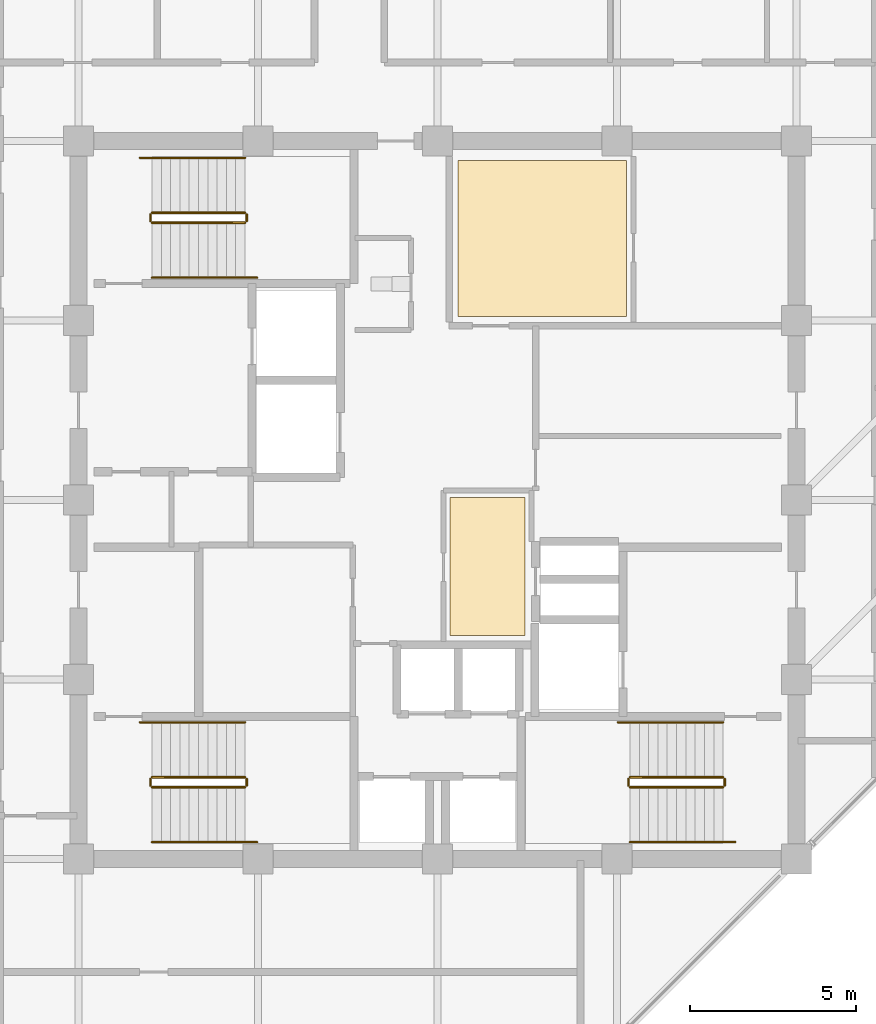
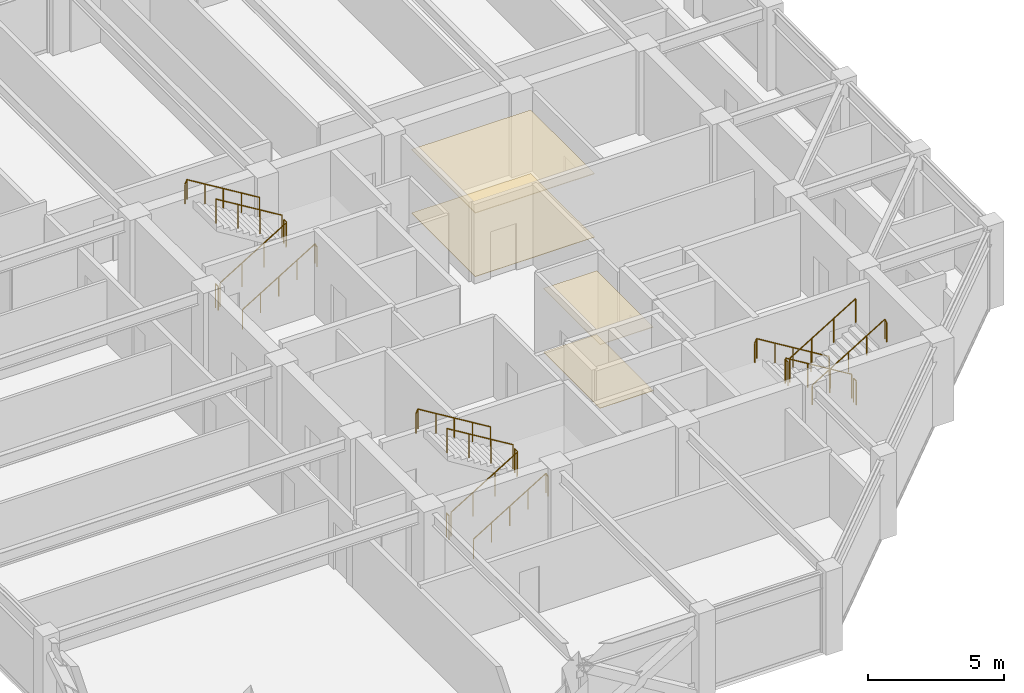
# One storey, part 29 of 30: 18 railings, 4 coverings.
"""IFC4 building model written with IfcOpenShell, lengths in metres."""

from ifc_helpers import new_model, si_unit, direction, frame, origin, origin_2d, place, context, subcontext, project, spatial, polyline, circle, outline, extrude, material, layer, layer_set, type_object, element, save


model = new_model("IFC4")

# Units and contexts
model_context = context("Model", 3, precision=1e-05, world=origin(), true_north=direction((0.0, 1.0)))
body_context = subcontext(model_context, "Body", "Model", "MODEL_VIEW")
ifc_project = project(units=[si_unit("LENGTHUNIT", "METRE"), si_unit("AREAUNIT", "SQUARE_METRE"), si_unit("VOLUMEUNIT", "CUBIC_METRE"), si_unit("PLANEANGLEUNIT", "RADIAN"), si_unit("MASSUNIT", "GRAM", prefix="KILO")], contexts=[model_context])

# Site, building, storey
site_placement = place(None, origin())
site = spatial("IfcSite", under=ifc_project, at=site_placement, CompositionType="ELEMENT")
building_placement = place(site_placement, origin())
building = spatial("IfcBuilding", under=site, at=building_placement, Name="Surkhivell Harbour Commons", CompositionType="ELEMENT")
storey_placement = place(building_placement, frame((0.0, 0.0, 281.25)))
storey = spatial("IfcBuildingStorey", under=building, at=storey_placement, Name="L73", CompositionType="ELEMENT", Elevation=281.25)

# Coverings
ifc_material_1 = material(Name="Perforated acoustic mineral-fibre ceiling tile", Category="other")
ifc_layer_1 = layer(ifc_material_1, 0.02490234375)
ifc_layer_set_1 = layer_set([ifc_layer_1], Name="Perforated acoustic mineral-fibre ceiling tile")
covering_type_1 = type_object("IfcCoveringType", Name="COV-CEIL-AC", PredefinedType="CEILING", material=ifc_layer_set_1)
covering_1_placement = place(storey_placement, frame((0.0, 0.0, 2.85205078125)))
element("IfcCovering", 1, at=covering_1_placement, inside=storey, type_object=covering_type_1, Name="L73 Suspended Acoustic Ceiling 1", PredefinedType="CEILING", context=body_context, shape_type="SweptSolid", body=[
    extrude(outline(polyline([(0.3701171875, -4.080078125), (2.6298828125, -4.080078125), (2.6298828125, 0.080078125), (0.3701171875, 0.080078125), (0.3701171875, -4.080078125)])), origin(), (0.0, 0.0, 1.0), 0.02490234375),
])
ifc_material_2 = material(Name="Moisture-resistant gypsum acoustic ceiling board", Category="other")
ifc_layer_2 = layer(ifc_material_2, 0.030029296875)
ifc_layer_set_2 = layer_set([ifc_layer_2], Name="Moisture-resistant gypsum acoustic ceiling board")
covering_type_2 = type_object("IfcCoveringType", Name="COV-CEIL-GYP", PredefinedType="CEILING", material=ifc_layer_set_2)
covering_2_placement = place(storey_placement, frame((0.0, 0.0, 2.846923828125)))
element("IfcCovering", 2, at=covering_2_placement, inside=storey, type_object=covering_type_2, Name="L73 Suspended Acoustic Ceiling 2", PredefinedType="CEILING", context=body_context, shape_type="SweptSolid", body=[
    extrude(outline(polyline([(0.6201171875, 5.52001953125), (5.679931640625, 5.52001953125), (5.679931640625, 10.219970703125), (0.6201171875, 10.219970703125), (0.6201171875, 5.52001953125)])), origin(), (0.0, 0.0, 1.0), 0.030029296875),
])
ifc_material_3 = material(Name="Engineered acoustic oak timber flooring", Category="wood")
ifc_layer_3 = layer(ifc_material_3, 0.02001953125)
ifc_layer_set_3 = layer_set([ifc_layer_3], Name="Engineered acoustic oak timber flooring")
covering_type_3 = type_object("IfcCoveringType", Name="COV-FLR-TIM", PredefinedType="FLOORING", material=ifc_layer_set_3)
covering_3_placement = place(storey_placement, origin())
element("IfcCovering", 3, at=covering_3_placement, inside=storey, type_object=covering_type_3, Name="L73 Interior Floor Finish 1", PredefinedType="FLOORING", context=body_context, shape_type="SweptSolid", body=[
    extrude(outline(polyline([(0.3701171875, -4.080078125), (2.6298828125, -4.080078125), (2.6298828125, 0.080078125), (0.3701171875, 0.080078125), (0.3701171875, -4.080078125)])), origin(), (0.0, 0.0, 1.0), 0.02001953125),
])
covering_4_placement = place(storey_placement, origin())
element("IfcCovering", 4, at=covering_4_placement, inside=storey, type_object=covering_type_3, Name="L73 Interior Floor Finish 2", PredefinedType="FLOORING", context=body_context, shape_type="SweptSolid", body=[
    extrude(outline(polyline([(0.6201171875, 5.52001953125), (5.679931640625, 5.52001953125), (5.679931640625, 10.219970703125), (0.6201171875, 10.219970703125), (0.6201171875, 5.52001953125)])), origin(), (0.0, 0.0, 1.0), 0.02001953125),
])

# Railings
ifc_material_4 = material(Name="Galvanised and painted steel S355 guard rail", Category="steel")
railing_type_1 = type_object("IfcRailingType", Name="RAL-ST-GRD1100", PredefinedType="GUARDRAIL", material=ifc_material_4)
railing_1_placement = place(storey_placement, frame((-8.590087890625, 8.340087890625, 0.17041015625)))
element("IfcRailing", 5, at=railing_1_placement, inside=storey, type_object=railing_type_1, Name="L73 ST1 stair guard 1", PredefinedType="GUARDRAIL", context=body_context, shape_type="SweptSolid", body=[
    extrude(circle(Radius=0.02392578125, at=origin_2d()), frame((0.0, 0.0, 1.076171875), z_axis=(0.854169791009, 0.0, 0.51999420009), x_axis=(0.0, 1.0, 0.0)), (0.0, 0.0, 1.0), 3.278076171875),
    extrude(circle(Radius=0.02099609375, at=origin_2d()), origin(), (0.0, 0.0, 1.0), 1.052001953125),
    extrude(circle(Radius=0.02099609375, at=origin_2d()), frame((0.933349609375, 0.0, 0.568115234375)), (0.0, 0.0, 1.0), 1.052001953125),
    extrude(circle(Radius=0.02099609375, at=origin_2d()), frame((1.86669921875, 0.0, 1.136474609375)), (0.0, 0.0, 1.0), 1.052001953125),
    extrude(circle(Radius=0.02099609375, at=origin_2d()), frame((2.800048828125, 0.0, 1.70458984375)), (0.0, 0.0, 1.0), 1.052001953125),
])
railing_2_placement = place(storey_placement, frame((-5.739990234375, 8.389892578125, 1.875)))
element("IfcRailing", 6, at=railing_2_placement, inside=storey, type_object=railing_type_1, Name="L73 ST1 stair guard 2", PredefinedType="GUARDRAIL", context=body_context, shape_type="SweptSolid", body=[
    extrude(circle(Radius=0.02392578125, at=origin_2d()), frame((0.0, 0.0, 1.076171875), z_axis=(0.0, 1.0, 0.0), x_axis=(-1.0, 0.0, 0.0)), (0.0, 0.0, 1.0), 0.2001953125),
    extrude(circle(Radius=0.02099609375, at=origin_2d()), origin(), (0.0, 0.0, 1.0), 1.052001953125),
    extrude(circle(Radius=0.02099609375, at=origin_2d()), frame((0.0, 0.2001953125, 0.0)), (0.0, 0.0, 1.0), 1.052001953125),
])
railing_3_placement = place(storey_placement, frame((-5.7900390625, 8.639892578125, 2.04541015625)))
element("IfcRailing", 7, at=railing_3_placement, inside=storey, type_object=railing_type_1, Name="L73 ST1 stair guard 3", PredefinedType="GUARDRAIL", context=body_context, shape_type="SweptSolid", body=[
    extrude(circle(Radius=0.02392578125, at=origin_2d()), frame((0.0, 0.0, 1.076171875), z_axis=(-0.854169791009, 0.0, 0.51999420009), x_axis=(0.0, -1.0, 0.0)), (0.0, 0.0, 1.0), 3.278076171875),
    extrude(circle(Radius=0.02099609375, at=origin_2d()), origin(), (0.0, 0.0, 1.0), 1.052001953125),
    extrude(circle(Radius=0.02099609375, at=origin_2d()), frame((-0.933349609375, 0.0, 0.568115234375)), (0.0, 0.0, 1.0), 1.052001953125),
    extrude(circle(Radius=0.02099609375, at=origin_2d()), frame((-1.86669921875, 0.0, 1.136474609375)), (0.0, 0.0, 1.0), 1.052001953125),
    extrude(circle(Radius=0.02099609375, at=origin_2d()), frame((-2.800048828125, 0.0, 1.70458984375)), (0.0, 0.0, 1.0), 1.052001953125),
])
railing_4_placement = place(storey_placement, frame((-8.639892578125, 8.389892578125, 0.0)))
element("IfcRailing", 8, at=railing_4_placement, inside=storey, type_object=railing_type_1, Name="L73 ST1 stair guard 4", PredefinedType="GUARDRAIL", context=body_context, shape_type="SweptSolid", body=[
    extrude(circle(Radius=0.02392578125, at=origin_2d()), frame((0.0, 0.0, 1.076171875), z_axis=(0.0, 1.0, 0.0), x_axis=(-1.0, 0.0, 0.0)), (0.0, 0.0, 1.0), 0.2001953125),
    extrude(circle(Radius=0.02099609375, at=origin_2d()), origin(), (0.0, 0.0, 1.0), 1.052001953125),
    extrude(circle(Radius=0.02099609375, at=origin_2d()), frame((0.0, 0.2001953125, 0.0)), (0.0, 0.0, 1.0), 1.052001953125),
])
railing_5_placement = place(storey_placement, frame((8.590087890625, -8.340087890625, 0.17041015625)))
element("IfcRailing", 9, at=railing_5_placement, inside=storey, type_object=railing_type_1, Name="L73 ST2 stair guard 1", PredefinedType="GUARDRAIL", context=body_context, shape_type="SweptSolid", body=[
    extrude(circle(Radius=0.02392578125, at=origin_2d()), frame((0.0, 0.0, 1.076171875), z_axis=(-0.854169791009, 0.0, 0.51999420009), x_axis=(0.0, -1.0, 0.0)), (0.0, 0.0, 1.0), 3.278076171875),
    extrude(circle(Radius=0.02099609375, at=origin_2d()), origin(), (0.0, 0.0, 1.0), 1.052001953125),
    extrude(circle(Radius=0.02099609375, at=origin_2d()), frame((-0.933349609375, 0.0, 0.568115234375)), (0.0, 0.0, 1.0), 1.052001953125),
    extrude(circle(Radius=0.02099609375, at=origin_2d()), frame((-1.86669921875, 0.0, 1.136474609375)), (0.0, 0.0, 1.0), 1.052001953125),
    extrude(circle(Radius=0.02099609375, at=origin_2d()), frame((-2.800048828125, 0.0, 1.70458984375)), (0.0, 0.0, 1.0), 1.052001953125),
])
railing_6_placement = place(storey_placement, frame((5.739990234375, -8.389892578125, 1.875)))
element("IfcRailing", 10, at=railing_6_placement, inside=storey, type_object=railing_type_1, Name="L73 ST2 stair guard 2", PredefinedType="GUARDRAIL", context=body_context, shape_type="SweptSolid", body=[
    extrude(circle(Radius=0.02392578125, at=origin_2d()), frame((0.0, 0.0, 1.076171875), z_axis=(0.0, -1.0, 0.0), x_axis=(1.0, 0.0, 0.0)), (0.0, 0.0, 1.0), 0.2001953125),
    extrude(circle(Radius=0.02099609375, at=origin_2d()), origin(), (0.0, 0.0, 1.0), 1.052001953125),
    extrude(circle(Radius=0.02099609375, at=origin_2d()), frame((0.0, -0.2001953125, 0.0)), (0.0, 0.0, 1.0), 1.052001953125),
])
railing_7_placement = place(storey_placement, frame((5.7900390625, -8.639892578125, 2.04541015625)))
element("IfcRailing", 11, at=railing_7_placement, inside=storey, type_object=railing_type_1, Name="L73 ST2 stair guard 3", PredefinedType="GUARDRAIL", context=body_context, shape_type="SweptSolid", body=[
    extrude(circle(Radius=0.02392578125, at=origin_2d()), frame((0.0, 0.0, 1.076171875), z_axis=(0.854169791009, 0.0, 0.51999420009), x_axis=(0.0, 1.0, 0.0)), (0.0, 0.0, 1.0), 3.278076171875),
    extrude(circle(Radius=0.02099609375, at=origin_2d()), origin(), (0.0, 0.0, 1.0), 1.052001953125),
    extrude(circle(Radius=0.02099609375, at=origin_2d()), frame((0.933349609375, 0.0, 0.568115234375)), (0.0, 0.0, 1.0), 1.052001953125),
    extrude(circle(Radius=0.02099609375, at=origin_2d()), frame((1.86669921875, 0.0, 1.136474609375)), (0.0, 0.0, 1.0), 1.052001953125),
    extrude(circle(Radius=0.02099609375, at=origin_2d()), frame((2.800048828125, 0.0, 1.70458984375)), (0.0, 0.0, 1.0), 1.052001953125),
])
railing_8_placement = place(storey_placement, frame((8.639892578125, -8.389892578125, 0.0)))
element("IfcRailing", 12, at=railing_8_placement, inside=storey, type_object=railing_type_1, Name="L73 ST2 stair guard 4", PredefinedType="GUARDRAIL", context=body_context, shape_type="SweptSolid", body=[
    extrude(circle(Radius=0.02392578125, at=origin_2d()), frame((0.0, 0.0, 1.076171875), z_axis=(0.0, -1.0, 0.0), x_axis=(1.0, 0.0, 0.0)), (0.0, 0.0, 1.0), 0.2001953125),
    extrude(circle(Radius=0.02099609375, at=origin_2d()), origin(), (0.0, 0.0, 1.0), 1.052001953125),
    extrude(circle(Radius=0.02099609375, at=origin_2d()), frame((0.0, -0.2001953125, 0.0)), (0.0, 0.0, 1.0), 1.052001953125),
])
railing_9_placement = place(storey_placement, frame((-8.590087890625, -8.639892578125, 0.17041015625)))
element("IfcRailing", 13, at=railing_9_placement, inside=storey, type_object=railing_type_1, Name="L73 ST3 stair guard 1", PredefinedType="GUARDRAIL", context=body_context, shape_type="SweptSolid", body=[
    extrude(circle(Radius=0.02392578125, at=origin_2d()), frame((0.0, 0.0, 1.076171875), z_axis=(0.854169791009, 0.0, 0.51999420009), x_axis=(0.0, 1.0, 0.0)), (0.0, 0.0, 1.0), 3.278076171875),
    extrude(circle(Radius=0.02099609375, at=origin_2d()), origin(), (0.0, 0.0, 1.0), 1.052001953125),
    extrude(circle(Radius=0.02099609375, at=origin_2d()), frame((0.933349609375, 0.0, 0.568115234375)), (0.0, 0.0, 1.0), 1.052001953125),
    extrude(circle(Radius=0.02099609375, at=origin_2d()), frame((1.86669921875, 0.0, 1.136474609375)), (0.0, 0.0, 1.0), 1.052001953125),
    extrude(circle(Radius=0.02099609375, at=origin_2d()), frame((2.800048828125, 0.0, 1.70458984375)), (0.0, 0.0, 1.0), 1.052001953125),
])
railing_10_placement = place(storey_placement, frame((-5.739990234375, -8.590087890625, 1.875)))
element("IfcRailing", 14, at=railing_10_placement, inside=storey, type_object=railing_type_1, Name="L73 ST3 stair guard 2", PredefinedType="GUARDRAIL", context=body_context, shape_type="SweptSolid", body=[
    extrude(circle(Radius=0.02392578125, at=origin_2d()), frame((0.0, 0.0, 1.076171875), z_axis=(0.0, 1.0, 0.0), x_axis=(-1.0, 0.0, 0.0)), (0.0, 0.0, 1.0), 0.2001953125),
    extrude(circle(Radius=0.02099609375, at=origin_2d()), origin(), (0.0, 0.0, 1.0), 1.052001953125),
    extrude(circle(Radius=0.02099609375, at=origin_2d()), frame((0.0, 0.2001953125, 0.0)), (0.0, 0.0, 1.0), 1.052001953125),
])
railing_11_placement = place(storey_placement, frame((-5.7900390625, -8.340087890625, 2.04541015625)))
element("IfcRailing", 15, at=railing_11_placement, inside=storey, type_object=railing_type_1, Name="L73 ST3 stair guard 3", PredefinedType="GUARDRAIL", context=body_context, shape_type="SweptSolid", body=[
    extrude(circle(Radius=0.02392578125, at=origin_2d()), frame((0.0, 0.0, 1.076171875), z_axis=(-0.854169791009, 0.0, 0.51999420009), x_axis=(0.0, -1.0, 0.0)), (0.0, 0.0, 1.0), 3.278076171875),
    extrude(circle(Radius=0.02099609375, at=origin_2d()), origin(), (0.0, 0.0, 1.0), 1.052001953125),
    extrude(circle(Radius=0.02099609375, at=origin_2d()), frame((-0.933349609375, 0.0, 0.568115234375)), (0.0, 0.0, 1.0), 1.052001953125),
    extrude(circle(Radius=0.02099609375, at=origin_2d()), frame((-1.86669921875, 0.0, 1.136474609375)), (0.0, 0.0, 1.0), 1.052001953125),
    extrude(circle(Radius=0.02099609375, at=origin_2d()), frame((-2.800048828125, 0.0, 1.70458984375)), (0.0, 0.0, 1.0), 1.052001953125),
])
railing_12_placement = place(storey_placement, frame((-8.639892578125, -8.590087890625, 0.0)))
element("IfcRailing", 16, at=railing_12_placement, inside=storey, type_object=railing_type_1, Name="L73 ST3 stair guard 4", PredefinedType="GUARDRAIL", context=body_context, shape_type="SweptSolid", body=[
    extrude(circle(Radius=0.02392578125, at=origin_2d()), frame((0.0, 0.0, 1.076171875), z_axis=(0.0, 1.0, 0.0), x_axis=(-1.0, 0.0, 0.0)), (0.0, 0.0, 1.0), 0.2001953125),
    extrude(circle(Radius=0.02099609375, at=origin_2d()), origin(), (0.0, 0.0, 1.0), 1.052001953125),
    extrude(circle(Radius=0.02099609375, at=origin_2d()), frame((0.0, 0.2001953125, 0.0)), (0.0, 0.0, 1.0), 1.052001953125),
])
ifc_material_5 = material(Name="Brushed stainless steel S355 handrail", Category="steel")
railing_type_2 = type_object("IfcRailingType", Name="RAL-ST-HND900", PredefinedType="HANDRAIL", material=ifc_material_5)
railing_13_placement = place(storey_placement, frame((-8.590087890625, 6.68994140625, 0.17041015625)))
element("IfcRailing", 17, at=railing_13_placement, inside=storey, type_object=railing_type_2, Name="L73 ST1 stair handrail 1", PredefinedType="HANDRAIL", context=body_context, shape_type="SweptSolid", body=[
    extrude(circle(Radius=0.02392578125, at=origin_2d()), frame((0.0, 0.0, 0.8759765625), z_axis=(0.854177636135, 0.0, 0.519981313056), x_axis=(0.0, 1.0, 0.0)), (0.0, 0.0, 1.0), 3.60595703125),
    extrude(circle(Radius=0.02392578125, at=origin_2d()), frame((3.080078125, 0.0, 2.7509765625), z_axis=(0.425297416671, 0.0, -0.905053648892), x_axis=(0.0, 1.0, 0.0)), (0.0, 0.0, 1.0), 0.188232421875),
    extrude(circle(Radius=0.02099609375, at=origin_2d()), origin(), (0.0, 0.0, 1.0), 0.851806640625),
    extrude(circle(Radius=0.02099609375, at=origin_2d()), frame((0.77001953125, 0.0, 0.46875)), (0.0, 0.0, 1.0), 0.851806640625),
    extrude(circle(Radius=0.02099609375, at=origin_2d()), frame((1.5400390625, 0.0, 0.9375)), (0.0, 0.0, 1.0), 0.851806640625),
    extrude(circle(Radius=0.02099609375, at=origin_2d()), frame((2.31005859375, 0.0, 1.40625)), (0.0, 0.0, 1.0), 0.851806640625),
    extrude(circle(Radius=0.02099609375, at=origin_2d()), frame((3.080078125, 0.0, 1.875)), (0.0, 0.0, 1.0), 0.851806640625),
    extrude(circle(Radius=0.02099609375, at=origin_2d()), frame((3.16015625, 0.0, 1.70458984375)), (0.0, 0.0, 1.0), 0.851806640625),
])
railing_14_placement = place(storey_placement, frame((-5.7900390625, 10.2900390625, 2.04541015625)))
element("IfcRailing", 18, at=railing_14_placement, inside=storey, type_object=railing_type_2, Name="L73 ST1 stair handrail 2", PredefinedType="HANDRAIL", context=body_context, shape_type="SweptSolid", body=[
    extrude(circle(Radius=0.02392578125, at=origin_2d()), frame((0.0, 0.0, 0.8759765625), z_axis=(-0.854177636135, 0.0, 0.519981313056), x_axis=(0.0, -1.0, 0.0)), (0.0, 0.0, 1.0), 3.60595703125),
    extrude(circle(Radius=0.02392578125, at=origin_2d()), frame((-3.080078125, 0.0, 2.7509765625), z_axis=(-0.424234432967, 0.0, -0.905552398199), x_axis=(0.0, -1.0, 0.0)), (0.0, 0.0, 1.0), 0.188232421875),
    extrude(circle(Radius=0.02099609375, at=origin_2d()), origin(), (0.0, 0.0, 1.0), 0.851806640625),
    extrude(circle(Radius=0.02099609375, at=origin_2d()), frame((-0.77001953125, 0.0, 0.46875)), (0.0, 0.0, 1.0), 0.851806640625),
    extrude(circle(Radius=0.02099609375, at=origin_2d()), frame((-1.5400390625, 0.0, 0.9375)), (0.0, 0.0, 1.0), 0.851806640625),
    extrude(circle(Radius=0.02099609375, at=origin_2d()), frame((-2.31005859375, 0.0, 1.40625)), (0.0, 0.0, 1.0), 0.851806640625),
    extrude(circle(Radius=0.02099609375, at=origin_2d()), frame((-3.080078125, 0.0, 1.875)), (0.0, 0.0, 1.0), 0.851806640625),
    extrude(circle(Radius=0.02099609375, at=origin_2d()), frame((-3.159912109375, 0.0, 1.70458984375)), (0.0, 0.0, 1.0), 0.851806640625),
])
railing_15_placement = place(storey_placement, frame((8.590087890625, -6.68994140625, 0.17041015625)))
element("IfcRailing", 19, at=railing_15_placement, inside=storey, type_object=railing_type_2, Name="L73 ST2 stair handrail 1", PredefinedType="HANDRAIL", context=body_context, shape_type="SweptSolid", body=[
    extrude(circle(Radius=0.02392578125, at=origin_2d()), frame((0.0, 0.0, 0.8759765625), z_axis=(-0.854177636135, 0.0, 0.519981313056), x_axis=(0.0, -1.0, 0.0)), (0.0, 0.0, 1.0), 3.60595703125),
    extrude(circle(Radius=0.02392578125, at=origin_2d()), frame((-3.080078125, 0.0, 2.7509765625), z_axis=(-0.425297416671, 0.0, -0.905053648892), x_axis=(0.0, -1.0, 0.0)), (0.0, 0.0, 1.0), 0.188232421875),
    extrude(circle(Radius=0.02099609375, at=origin_2d()), origin(), (0.0, 0.0, 1.0), 0.851806640625),
    extrude(circle(Radius=0.02099609375, at=origin_2d()), frame((-0.77001953125, 0.0, 0.46875)), (0.0, 0.0, 1.0), 0.851806640625),
    extrude(circle(Radius=0.02099609375, at=origin_2d()), frame((-1.5400390625, 0.0, 0.9375)), (0.0, 0.0, 1.0), 0.851806640625),
    extrude(circle(Radius=0.02099609375, at=origin_2d()), frame((-2.31005859375, 0.0, 1.40625)), (0.0, 0.0, 1.0), 0.851806640625),
    extrude(circle(Radius=0.02099609375, at=origin_2d()), frame((-3.080078125, 0.0, 1.875)), (0.0, 0.0, 1.0), 0.851806640625),
    extrude(circle(Radius=0.02099609375, at=origin_2d()), frame((-3.16015625, 0.0, 1.70458984375)), (0.0, 0.0, 1.0), 0.851806640625),
])
railing_16_placement = place(storey_placement, frame((5.7900390625, -10.2900390625, 2.04541015625)))
element("IfcRailing", 20, at=railing_16_placement, inside=storey, type_object=railing_type_2, Name="L73 ST2 stair handrail 2", PredefinedType="HANDRAIL", context=body_context, shape_type="SweptSolid", body=[
    extrude(circle(Radius=0.02392578125, at=origin_2d()), frame((0.0, 0.0, 0.8759765625), z_axis=(0.854177636135, 0.0, 0.519981313056), x_axis=(0.0, 1.0, 0.0)), (0.0, 0.0, 1.0), 3.60595703125),
    extrude(circle(Radius=0.02392578125, at=origin_2d()), frame((3.080078125, 0.0, 2.7509765625), z_axis=(0.424234432967, 0.0, -0.905552398199), x_axis=(0.0, 1.0, 0.0)), (0.0, 0.0, 1.0), 0.188232421875),
    extrude(circle(Radius=0.02099609375, at=origin_2d()), origin(), (0.0, 0.0, 1.0), 0.851806640625),
    extrude(circle(Radius=0.02099609375, at=origin_2d()), frame((0.77001953125, 0.0, 0.46875)), (0.0, 0.0, 1.0), 0.851806640625),
    extrude(circle(Radius=0.02099609375, at=origin_2d()), frame((1.5400390625, 0.0, 0.9375)), (0.0, 0.0, 1.0), 0.851806640625),
    extrude(circle(Radius=0.02099609375, at=origin_2d()), frame((2.31005859375, 0.0, 1.40625)), (0.0, 0.0, 1.0), 0.851806640625),
    extrude(circle(Radius=0.02099609375, at=origin_2d()), frame((3.080078125, 0.0, 1.875)), (0.0, 0.0, 1.0), 0.851806640625),
    extrude(circle(Radius=0.02099609375, at=origin_2d()), frame((3.159912109375, 0.0, 1.70458984375)), (0.0, 0.0, 1.0), 0.851806640625),
])
railing_17_placement = place(storey_placement, frame((-8.590087890625, -10.2900390625, 0.17041015625)))
element("IfcRailing", 21, at=railing_17_placement, inside=storey, type_object=railing_type_2, Name="L73 ST3 stair handrail 1", PredefinedType="HANDRAIL", context=body_context, shape_type="SweptSolid", body=[
    extrude(circle(Radius=0.02392578125, at=origin_2d()), frame((0.0, 0.0, 0.8759765625), z_axis=(0.854177636135, 0.0, 0.519981313056), x_axis=(0.0, 1.0, 0.0)), (0.0, 0.0, 1.0), 3.60595703125),
    extrude(circle(Radius=0.02392578125, at=origin_2d()), frame((3.080078125, 0.0, 2.7509765625), z_axis=(0.425297416671, 0.0, -0.905053648892), x_axis=(0.0, 1.0, 0.0)), (0.0, 0.0, 1.0), 0.188232421875),
    extrude(circle(Radius=0.02099609375, at=origin_2d()), origin(), (0.0, 0.0, 1.0), 0.851806640625),
    extrude(circle(Radius=0.02099609375, at=origin_2d()), frame((0.77001953125, 0.0, 0.46875)), (0.0, 0.0, 1.0), 0.851806640625),
    extrude(circle(Radius=0.02099609375, at=origin_2d()), frame((1.5400390625, 0.0, 0.9375)), (0.0, 0.0, 1.0), 0.851806640625),
    extrude(circle(Radius=0.02099609375, at=origin_2d()), frame((2.31005859375, 0.0, 1.40625)), (0.0, 0.0, 1.0), 0.851806640625),
    extrude(circle(Radius=0.02099609375, at=origin_2d()), frame((3.080078125, 0.0, 1.875)), (0.0, 0.0, 1.0), 0.851806640625),
    extrude(circle(Radius=0.02099609375, at=origin_2d()), frame((3.16015625, 0.0, 1.70458984375)), (0.0, 0.0, 1.0), 0.851806640625),
])
railing_18_placement = place(storey_placement, frame((-5.7900390625, -6.68994140625, 2.04541015625)))
element("IfcRailing", 22, at=railing_18_placement, inside=storey, type_object=railing_type_2, Name="L73 ST3 stair handrail 2", PredefinedType="HANDRAIL", context=body_context, shape_type="SweptSolid", body=[
    extrude(circle(Radius=0.02392578125, at=origin_2d()), frame((0.0, 0.0, 0.8759765625), z_axis=(-0.854177636135, 0.0, 0.519981313056), x_axis=(0.0, -1.0, 0.0)), (0.0, 0.0, 1.0), 3.60595703125),
    extrude(circle(Radius=0.02392578125, at=origin_2d()), frame((-3.080078125, 0.0, 2.7509765625), z_axis=(-0.424234432967, 0.0, -0.905552398199), x_axis=(0.0, -1.0, 0.0)), (0.0, 0.0, 1.0), 0.188232421875),
    extrude(circle(Radius=0.02099609375, at=origin_2d()), origin(), (0.0, 0.0, 1.0), 0.851806640625),
    extrude(circle(Radius=0.02099609375, at=origin_2d()), frame((-0.77001953125, 0.0, 0.46875)), (0.0, 0.0, 1.0), 0.851806640625),
    extrude(circle(Radius=0.02099609375, at=origin_2d()), frame((-1.5400390625, 0.0, 0.9375)), (0.0, 0.0, 1.0), 0.851806640625),
    extrude(circle(Radius=0.02099609375, at=origin_2d()), frame((-2.31005859375, 0.0, 1.40625)), (0.0, 0.0, 1.0), 0.851806640625),
    extrude(circle(Radius=0.02099609375, at=origin_2d()), frame((-3.080078125, 0.0, 1.875)), (0.0, 0.0, 1.0), 0.851806640625),
    extrude(circle(Radius=0.02099609375, at=origin_2d()), frame((-3.159912109375, 0.0, 1.70458984375)), (0.0, 0.0, 1.0), 0.851806640625),
])

save(model, "model.ifc")
